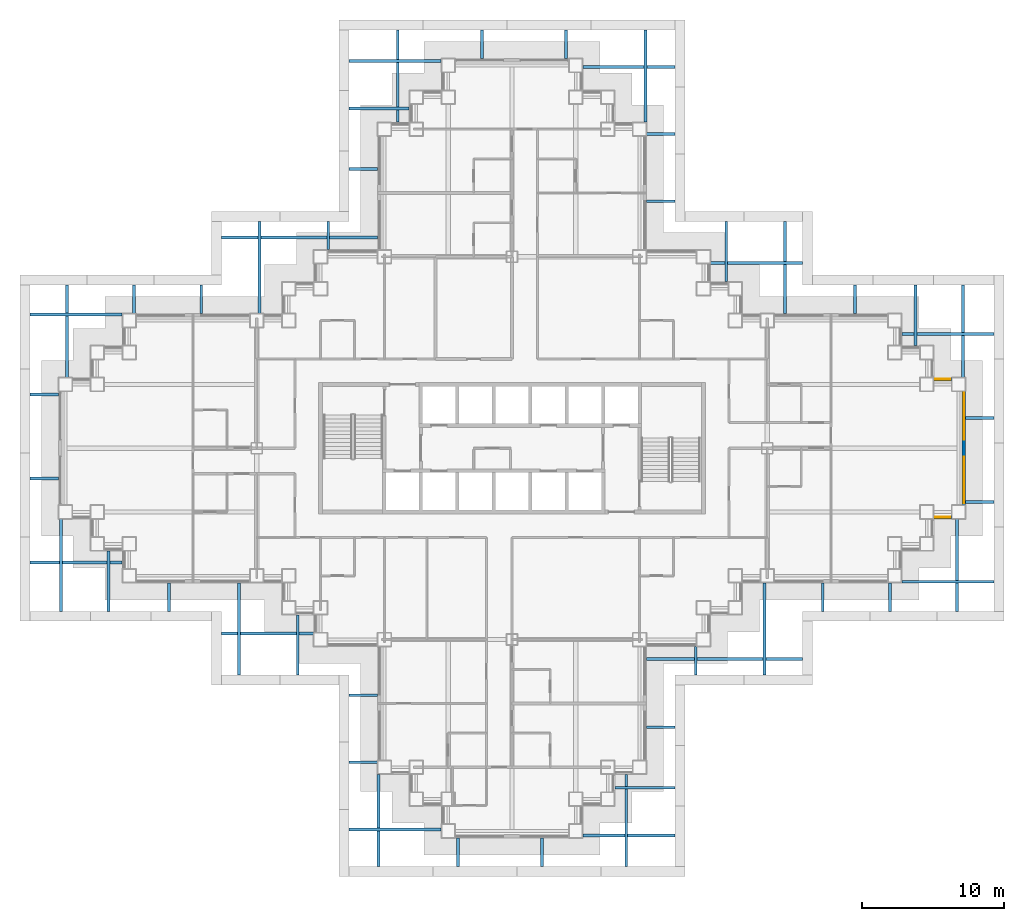
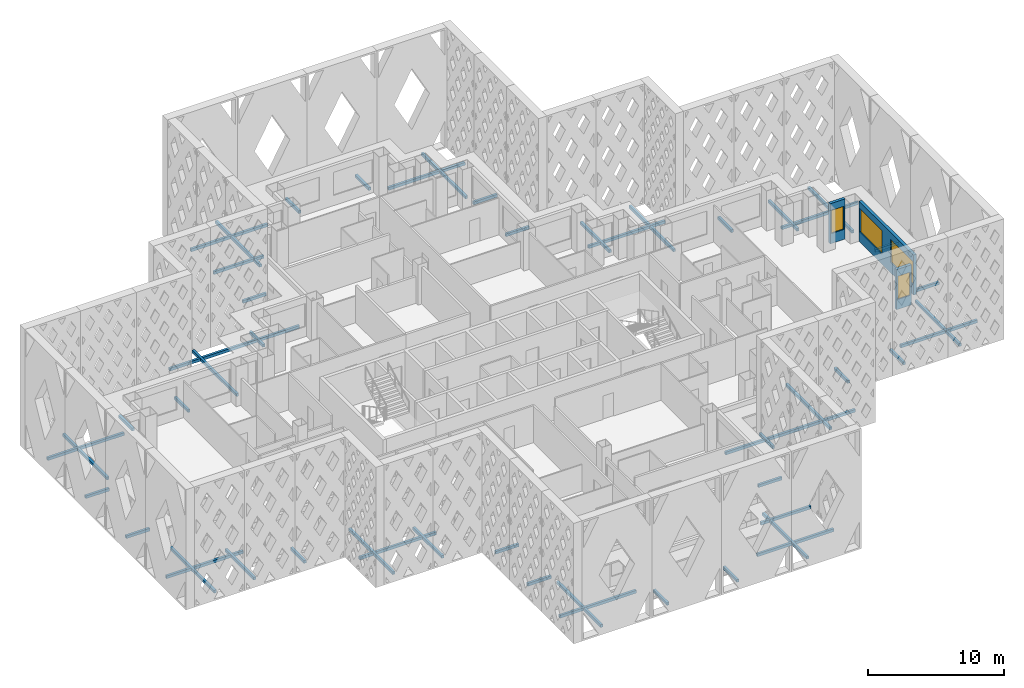
# One storey, part 10 of 19: 52 discrete accessories, 4 windows, 3 walls, 4 openings.
"""IFC4 building model written with IfcOpenShell, lengths in metres."""

from ifc_helpers import new_model, si_unit, direction, frame, frame_2d, origin, origin_2d, place, context, subcontext, project, spatial, rectangle, extrude, material, layer, layer_set, type_object, element, fill, save


model = new_model("IFC4")

# Units and contexts
model_context = context("Model", 3, precision=1e-05, world=origin(), true_north=direction((0.0, 1.0)))
body_context = subcontext(model_context, "Body", "Model", "MODEL_VIEW")
ifc_project = project(units=[si_unit("LENGTHUNIT", "METRE"), si_unit("AREAUNIT", "SQUARE_METRE"), si_unit("VOLUMEUNIT", "CUBIC_METRE"), si_unit("PLANEANGLEUNIT", "RADIAN"), si_unit("MASSUNIT", "GRAM", prefix="KILO")], contexts=[model_context])

# Site, building, storey
site_placement = place(None, origin())
site = spatial("IfcSite", under=ifc_project, at=site_placement, CompositionType="ELEMENT")
building_placement = place(site_placement, origin())
building = spatial("IfcBuilding", under=site, at=building_placement, Name="Caravel Reach Hotel and Residences", CompositionType="ELEMENT")
storey_placement = place(building_placement, frame((0.0, 0.0, 63.60009765625)))
storey = spatial("IfcBuildingStorey", under=building, at=storey_placement, Name="L14", CompositionType="ELEMENT", Elevation=63.60009765625)

# Wall, opening, window
ifc_material_1 = material(Name="Insulated rainscreen wall, aluminium cladding", Category="aluminium")
ifc_layer = layer(ifc_material_1, 0.25)
ifc_layer_set = layer_set([ifc_layer], Name="EW1 Tower rainscreen wall")
wall_type = type_object("IfcWallType", Name="EW1 Tower rainscreen wall", PredefinedType="SOLIDWALL", material=ifc_layer_set)
wall_1_placement = place(storey_placement, frame((61.25, 22.125, 0.0), z_axis=(0.0, 0.0, 1.0), x_axis=(1.0, 0.0, 0.0)))
wall_1 = element("IfcWall", 1, at=wall_1_placement, inside=storey, type_object=wall_type, Name="External wall L14 S19.1", PredefinedType="SOLIDWALL", context=body_context, shape_type="SweptSolid", body=[
    extrude(rectangle(XDim=1.25, YDim=0.25, at=frame_2d((0.625, 0.0))), origin(), (0.0, 0.0, 1.0), 3.599853515625),
])
opening_1_placement = place(wall_1_placement, frame((0.10009765625, 0.0, 0.89990234375)))
opening_1 = element("IfcOpeningElement", 2, at=opening_1_placement, cuts=wall_1, Name="Opening WN3", PredefinedType="OPENING", context=body_context, shape_type="SweptSolid", body=[
    extrude(rectangle(XDim=1.050048828125, YDim=2.080078125, at=frame_2d((0.52490234375, 1.0400390625))), frame((0.0, 0.135009765625, 0.0), z_axis=(0.0, -1.0, 0.0), x_axis=(1.0, 0.0, 0.0)), (0.0, 0.0, 1.0), 0.27001953125),
])
ifc_material_2 = material(Name="Dark low-e glazing in black aluminium frame", Category="aluminium")
window_type_1 = type_object("IfcWindowType", Name="Hotel suite corner window 1050 x 2080", PartitioningType="SINGLE_PANEL", PredefinedType="WINDOW", material=ifc_material_2)
window_1_placement = place(opening_1_placement, origin())
window_1 = element("IfcWindow", 3, at=window_1_placement, inside=storey, type_object=window_type_1, Name="Window L14 S19.1.1", OverallHeight=2.080078125, OverallWidth=1.050048828125, PartitioningType="SINGLE_PANEL", PredefinedType="WINDOW", context=body_context, shape_type="SweptSolid", body=[
    extrude(rectangle(XDim=1.050048828125, YDim=2.080078125, at=frame_2d((0.52490234375, 1.0400390625))), frame((0.0, 0.030029296875, 0.0), z_axis=(0.0, -1.0, 0.0), x_axis=(1.0, 0.0, 0.0)), (0.0, 0.0, 1.0), 0.06005859375),
])
fill(opening_1, window_1)

# Wall, openings, windows
wall_2_placement = place(storey_placement, frame((63.375, 23.0, 0.0), z_axis=(0.0, 0.0, 1.0), x_axis=(0.0, 1.0, 0.0)))
wall_2 = element("IfcWall", 4, at=wall_2_placement, inside=storey, type_object=wall_type, Name="External wall L14 E20.1", PredefinedType="SOLIDWALL", context=body_context, shape_type="SweptSolid", body=[
    extrude(rectangle(XDim=8.0, YDim=0.25, at=frame_2d((4.0, 0.0))), origin(), (0.0, 0.0, 1.0), 3.599853515625),
])
opening_2_placement = place(wall_2_placement, frame((0.10009765625, 0.0, 0.89990234375)))
opening_2 = element("IfcOpeningElement", 5, at=opening_2_placement, cuts=wall_2, Name="Opening WN4", PredefinedType="OPENING", context=body_context, shape_type="SweptSolid", body=[
    extrude(rectangle(XDim=3.300048828125, YDim=2.080078125, at=frame_2d((1.64990234375, 1.0400390625))), frame((0.0, 0.135009765625, 0.0), z_axis=(0.0, -1.0, 0.0), x_axis=(1.0, 0.0, 0.0)), (0.0, 0.0, 1.0), 0.27001953125),
])
opening_3_placement = place(wall_2_placement, frame((4.60009765625, 0.0, 0.89990234375)))
opening_3 = element("IfcOpeningElement", 6, at=opening_3_placement, cuts=wall_2, Name="Opening WN4", PredefinedType="OPENING", context=body_context, shape_type="SweptSolid", body=[
    extrude(rectangle(XDim=3.300048828125, YDim=2.080078125, at=frame_2d((1.64990234375, 1.0400390625))), frame((0.0, 0.135009765625, 0.0), z_axis=(0.0, -1.0, 0.0), x_axis=(1.0, 0.0, 0.0)), (0.0, 0.0, 1.0), 0.27001953125),
])
ifc_material_3 = material(Name="Dark low-e glazing in black aluminium frame", Category="aluminium")
window_type_2 = type_object("IfcWindowType", Name="Hotel guest room window 3300 x 2080", PartitioningType="SINGLE_PANEL", PredefinedType="WINDOW", material=ifc_material_3)
window_2_placement = place(opening_2_placement, origin())
window_2 = element("IfcWindow", 7, at=window_2_placement, inside=storey, type_object=window_type_2, Name="Window L14 E20.1.1", OverallHeight=2.080078125, OverallWidth=3.300048828125, PartitioningType="SINGLE_PANEL", PredefinedType="WINDOW", context=body_context, shape_type="SweptSolid", body=[
    extrude(rectangle(XDim=3.300048828125, YDim=2.080078125, at=frame_2d((1.64990234375, 1.0400390625))), frame((0.0, 0.030029296875, 0.0), z_axis=(0.0, -1.0, 0.0), x_axis=(1.0, 0.0, 0.0)), (0.0, 0.0, 1.0), 0.06005859375),
])
fill(opening_2, window_2)
window_3_placement = place(opening_3_placement, origin())
window_3 = element("IfcWindow", 8, at=window_3_placement, inside=storey, type_object=window_type_2, Name="Window L14 E20.1.2", OverallHeight=2.080078125, OverallWidth=3.300048828125, PartitioningType="SINGLE_PANEL", PredefinedType="WINDOW", context=body_context, shape_type="SweptSolid", body=[
    extrude(rectangle(XDim=3.300048828125, YDim=2.080078125, at=frame_2d((1.64990234375, 1.0400390625))), frame((0.0, 0.030029296875, 0.0), z_axis=(0.0, -1.0, 0.0), x_axis=(1.0, 0.0, 0.0)), (0.0, 0.0, 1.0), 0.06005859375),
])
fill(opening_3, window_3)

# Wall, opening, window
wall_3_placement = place(storey_placement, frame((62.5, 31.875, 0.0), z_axis=(0.0, 0.0, 1.0), x_axis=(-1.0, 0.0, 0.0)))
wall_3 = element("IfcWall", 9, at=wall_3_placement, inside=storey, type_object=wall_type, Name="External wall L14 N21.1", PredefinedType="SOLIDWALL", context=body_context, shape_type="SweptSolid", body=[
    extrude(rectangle(XDim=1.25, YDim=0.25, at=frame_2d((0.625, 0.0))), origin(), (0.0, 0.0, 1.0), 3.599853515625),
])
opening_4_placement = place(wall_3_placement, frame((0.10009765625, 0.0, 0.89990234375)))
opening_4 = element("IfcOpeningElement", 10, at=opening_4_placement, cuts=wall_3, Name="Opening WN3", PredefinedType="OPENING", context=body_context, shape_type="SweptSolid", body=[
    extrude(rectangle(XDim=1.050048828125, YDim=2.080078125, at=frame_2d((0.52490234375, 1.0400390625))), frame((0.0, 0.135009765625, 0.0), z_axis=(0.0, -1.0, 0.0), x_axis=(1.0, 0.0, 0.0)), (0.0, 0.0, 1.0), 0.27001953125),
])
window_4_placement = place(opening_4_placement, origin())
window_4 = element("IfcWindow", 11, at=window_4_placement, inside=storey, type_object=window_type_1, Name="Window L14 N21.1.1", OverallHeight=2.080078125, OverallWidth=1.050048828125, PartitioningType="SINGLE_PANEL", PredefinedType="WINDOW", context=body_context, shape_type="SweptSolid", body=[
    extrude(rectangle(XDim=1.050048828125, YDim=2.080078125, at=frame_2d((0.52490234375, 1.0400390625))), frame((0.0, 0.030029296875, 0.0), z_axis=(0.0, -1.0, 0.0), x_axis=(1.0, 0.0, 0.0)), (0.0, 0.0, 1.0), 0.06005859375),
])
fill(opening_4, window_4)

# Discrete accessories
ifc_material_4 = material(Name="Black powder-coated aluminium", Category="aluminium")
discrete_accessory_type = type_object("IfcDiscreteAccessoryType", Name="BR1 Screen bracket", PredefinedType="BRACKET", material=ifc_material_4)
for number, where, z_axis, x_axis, name in (
    (12, (21.0, 9.580078125, 0.099853515625), (0.0, 0.0, 1.0), (-1.0, 0.0, 0.0), "Screen bracket L14 1.1.1"),
    (13, (21.0, 4.8466796875, 0.099853515625), (0.0, 0.0, 1.0), (-1.0, 0.0, 0.0), "Screen bracket L14 1.2.1"),
):
    element("IfcDiscreteAccessory", number, at=place(storey_placement, frame(where, z_axis=z_axis, x_axis=x_axis)), inside=storey, type_object=discrete_accessory_type, Name=name, PredefinedType="BRACKET", context=body_context, shape_type="SweptSolid", body=[
        extrude(rectangle(XDim=2.0, YDim=0.199951171875, at=origin_2d()), origin(), (0.0, 0.0, 1.0), 0.25),
    ])
for number, where, z_axis, x_axis, name in (
    (14, (23.25, 0.11328125, 0.099853515625), (0.0, 0.0, 1.0), (-1.0, 0.0, 0.0), "Screen bracket L14 1.3.1"),
    (15, (22.077392578125, 0.75, 0.099853515625), (0.0, 0.0, 1.0), (0.0, -1.0, 0.0), "Screen bracket L14 2.1.1"),
):
    element("IfcDiscreteAccessory", number, at=place(storey_placement, frame(where, z_axis=z_axis, x_axis=x_axis)), inside=storey, type_object=discrete_accessory_type, Name=name, PredefinedType="BRACKET", context=body_context, shape_type="SweptSolid", body=[
        extrude(rectangle(XDim=6.5, YDim=0.199951171875, at=origin_2d()), origin(), (0.0, 0.0, 1.0), 0.25),
    ])
for number, where, z_axis, x_axis, name in (
    (16, (27.702392578125, -1.5, 0.099853515625), (0.0, 0.0, 1.0), (0.0, -1.0, 0.0), "Screen bracket L14 2.2.1"),
    (17, (33.62744140625, -1.5, 0.099853515625), (0.0, 0.0, 1.0), (0.0, -1.0, 0.0), "Screen bracket L14 2.3.1"),
):
    element("IfcDiscreteAccessory", number, at=place(storey_placement, frame(where, z_axis=z_axis, x_axis=x_axis)), inside=storey, type_object=discrete_accessory_type, Name=name, PredefinedType="BRACKET", context=body_context, shape_type="SweptSolid", body=[
        extrude(rectangle(XDim=2.0, YDim=0.199951171875, at=origin_2d()), origin(), (0.0, 0.0, 1.0), 0.25),
    ])
for number, where, z_axis, x_axis, name in (
    (18, (39.552490234375, 0.75, 0.099853515625), (0.0, 0.0, 1.0), (0.0, -1.0, 0.0), "Screen bracket L14 2.4.1"),
    (19, (39.75, -0.320068359375, 0.099853515625), (0.0, 0.0, 1.0), (1.0, 0.0, 0.0), "Screen bracket L14 3.1.1"),
):
    element("IfcDiscreteAccessory", number, at=place(storey_placement, frame(where, z_axis=z_axis, x_axis=x_axis)), inside=storey, type_object=discrete_accessory_type, Name=name, PredefinedType="BRACKET", context=body_context, shape_type="SweptSolid", body=[
        extrude(rectangle(XDim=6.5, YDim=0.199951171875, at=origin_2d()), origin(), (0.0, 0.0, 1.0), 0.25),
    ])
discrete_accessory_1_placement = place(storey_placement, frame((40.875, 3.046630859375, 0.099853515625), z_axis=(0.0, 0.0, 1.0), x_axis=(1.0, 0.0, 0.0)))
element("IfcDiscreteAccessory", 20, at=discrete_accessory_1_placement, inside=storey, type_object=discrete_accessory_type, Name="Screen bracket L14 3.2.1", PredefinedType="BRACKET", context=body_context, shape_type="SweptSolid", body=[
    extrude(rectangle(XDim=4.25, YDim=0.199951171875, at=origin_2d()), origin(), (0.0, 0.0, 1.0), 0.25),
])
for number, where, z_axis, x_axis, name in (
    (21, (42.0, 7.313232421875, 0.099853515625), (0.0, 0.0, 1.0), (1.0, 0.0, 0.0), "Screen bracket L14 3.3.1"),
    (22, (44.455078125, 12.0, 0.099853515625), (0.0, 0.0, 1.0), (0.0, -1.0, 0.0), "Screen bracket L14 4.1.1"),
):
    element("IfcDiscreteAccessory", number, at=place(storey_placement, frame(where, z_axis=z_axis, x_axis=x_axis)), inside=storey, type_object=discrete_accessory_type, Name=name, PredefinedType="BRACKET", context=body_context, shape_type="SweptSolid", body=[
        extrude(rectangle(XDim=2.0, YDim=0.199951171875, at=origin_2d()), origin(), (0.0, 0.0, 1.0), 0.25),
    ])
discrete_accessory_2_placement = place(storey_placement, frame((49.304931640625, 14.25, 0.099853515625), z_axis=(0.0, 0.0, 1.0), x_axis=(0.0, -1.0, 0.0)))
element("IfcDiscreteAccessory", 23, at=discrete_accessory_2_placement, inside=storey, type_object=discrete_accessory_type, Name="Screen bracket L14 4.2.1", PredefinedType="BRACKET", context=body_context, shape_type="SweptSolid", body=[
    extrude(rectangle(XDim=6.5, YDim=0.199951171875, at=origin_2d()), origin(), (0.0, 0.0, 1.0), 0.25),
])
discrete_accessory_3_placement = place(storey_placement, frame((46.5, 12.139892578125, 0.099853515625), z_axis=(0.0, 0.0, 1.0), x_axis=(1.0, 0.0, 0.0)))
element("IfcDiscreteAccessory", 24, at=discrete_accessory_3_placement, inside=storey, type_object=discrete_accessory_type, Name="Screen bracket L14 5.1.1", PredefinedType="BRACKET", context=body_context, shape_type="SweptSolid", body=[
    extrude(rectangle(XDim=11.0, YDim=0.199951171875, at=origin_2d()), origin(), (0.0, 0.0, 1.0), 0.25),
])
for number, where, z_axis, x_axis, name in (
    (25, (53.419921875, 16.5, 0.099853515625), (0.0, 0.0, 1.0), (0.0, -1.0, 0.0), "Screen bracket L14 6.1.1"),
    (26, (58.1533203125, 16.5, 0.099853515625), (0.0, 0.0, 1.0), (0.0, -1.0, 0.0), "Screen bracket L14 6.2.1"),
):
    element("IfcDiscreteAccessory", number, at=place(storey_placement, frame(where, z_axis=z_axis, x_axis=x_axis)), inside=storey, type_object=discrete_accessory_type, Name=name, PredefinedType="BRACKET", context=body_context, shape_type="SweptSolid", body=[
        extrude(rectangle(XDim=2.0, YDim=0.199951171875, at=origin_2d()), origin(), (0.0, 0.0, 1.0), 0.25),
    ])
for number, where, z_axis, x_axis, name in (
    (27, (62.88671875, 18.75, 0.099853515625), (0.0, 0.0, 1.0), (0.0, -1.0, 0.0), "Screen bracket L14 6.3.1"),
    (28, (62.25, 17.577392578125, 0.099853515625), (0.0, 0.0, 1.0), (1.0, 0.0, 0.0), "Screen bracket L14 7.1.1"),
):
    element("IfcDiscreteAccessory", number, at=place(storey_placement, frame(where, z_axis=z_axis, x_axis=x_axis)), inside=storey, type_object=discrete_accessory_type, Name=name, PredefinedType="BRACKET", context=body_context, shape_type="SweptSolid", body=[
        extrude(rectangle(XDim=6.5, YDim=0.199951171875, at=origin_2d()), origin(), (0.0, 0.0, 1.0), 0.25),
    ])
for number, where, z_axis, x_axis, name in (
    (29, (64.5, 23.202392578125, 0.099853515625), (0.0, 0.0, 1.0), (1.0, 0.0, 0.0), "Screen bracket L14 7.2.1"),
    (30, (64.5, 29.12744140625, 0.099853515625), (0.0, 0.0, 1.0), (1.0, 0.0, 0.0), "Screen bracket L14 7.3.1"),
):
    element("IfcDiscreteAccessory", number, at=place(storey_placement, frame(where, z_axis=z_axis, x_axis=x_axis)), inside=storey, type_object=discrete_accessory_type, Name=name, PredefinedType="BRACKET", context=body_context, shape_type="SweptSolid", body=[
        extrude(rectangle(XDim=2.0, YDim=0.199951171875, at=origin_2d()), origin(), (0.0, 0.0, 1.0), 0.25),
    ])
for number, where, z_axis, x_axis, name in (
    (31, (62.25, 35.052490234375, 0.099853515625), (0.0, 0.0, 1.0), (1.0, 0.0, 0.0), "Screen bracket L14 7.4.1"),
    (32, (63.320068359375, 35.25, 0.099853515625), (0.0, 0.0, 1.0), (0.0, 1.0, 0.0), "Screen bracket L14 8.1.1"),
):
    element("IfcDiscreteAccessory", number, at=place(storey_placement, frame(where, z_axis=z_axis, x_axis=x_axis)), inside=storey, type_object=discrete_accessory_type, Name=name, PredefinedType="BRACKET", context=body_context, shape_type="SweptSolid", body=[
        extrude(rectangle(XDim=6.5, YDim=0.199951171875, at=origin_2d()), origin(), (0.0, 0.0, 1.0), 0.25),
    ])
discrete_accessory_4_placement = place(storey_placement, frame((59.953369140625, 36.375, 0.099853515625), z_axis=(0.0, 0.0, 1.0), x_axis=(0.0, 1.0, 0.0)))
element("IfcDiscreteAccessory", 33, at=discrete_accessory_4_placement, inside=storey, type_object=discrete_accessory_type, Name="Screen bracket L14 8.2.1", PredefinedType="BRACKET", context=body_context, shape_type="SweptSolid", body=[
    extrude(rectangle(XDim=4.25, YDim=0.199951171875, at=origin_2d()), origin(), (0.0, 0.0, 1.0), 0.25),
])
discrete_accessory_5_placement = place(storey_placement, frame((55.686767578125, 37.5, 0.099853515625), z_axis=(0.0, 0.0, 1.0), x_axis=(0.0, 1.0, 0.0)))
element("IfcDiscreteAccessory", 34, at=discrete_accessory_5_placement, inside=storey, type_object=discrete_accessory_type, Name="Screen bracket L14 8.3.1", PredefinedType="BRACKET", context=body_context, shape_type="SweptSolid", body=[
    extrude(rectangle(XDim=2.0, YDim=0.199951171875, at=origin_2d()), origin(), (0.0, 0.0, 1.0), 0.25),
])
for number, where, z_axis, x_axis, name in (
    (35, (48.75, 40.06005859375, 0.099853515625), (0.0, 0.0, 1.0), (1.0, 0.0, 0.0), "Screen bracket L14 9.1.1"),
    (36, (50.7548828125, 39.75, 0.099853515625), (0.0, 0.0, 1.0), (0.0, 1.0, 0.0), "Screen bracket L14 10.1.1"),
):
    element("IfcDiscreteAccessory", number, at=place(storey_placement, frame(where, z_axis=z_axis, x_axis=x_axis)), inside=storey, type_object=discrete_accessory_type, Name=name, PredefinedType="BRACKET", context=body_context, shape_type="SweptSolid", body=[
        extrude(rectangle(XDim=6.5, YDim=0.199951171875, at=origin_2d()), origin(), (0.0, 0.0, 1.0), 0.25),
    ])
discrete_accessory_6_placement = place(storey_placement, frame((46.60498046875, 40.875, 0.099853515625), z_axis=(0.0, 0.0, 1.0), x_axis=(0.0, 1.0, 0.0)))
element("IfcDiscreteAccessory", 37, at=discrete_accessory_6_placement, inside=storey, type_object=discrete_accessory_type, Name="Screen bracket L14 10.2.1", PredefinedType="BRACKET", context=body_context, shape_type="SweptSolid", body=[
    extrude(rectangle(XDim=4.25, YDim=0.199951171875, at=origin_2d()), origin(), (0.0, 0.0, 1.0), 0.25),
])
for number, where, z_axis, x_axis, name in (
    (38, (42.0, 44.419921875, 0.099853515625), (0.0, 0.0, 1.0), (1.0, 0.0, 0.0), "Screen bracket L14 11.1.1"),
    (39, (42.0, 49.1533203125, 0.099853515625), (0.0, 0.0, 1.0), (1.0, 0.0, 0.0), "Screen bracket L14 11.2.1"),
):
    element("IfcDiscreteAccessory", number, at=place(storey_placement, frame(where, z_axis=z_axis, x_axis=x_axis)), inside=storey, type_object=discrete_accessory_type, Name=name, PredefinedType="BRACKET", context=body_context, shape_type="SweptSolid", body=[
        extrude(rectangle(XDim=2.0, YDim=0.199951171875, at=origin_2d()), origin(), (0.0, 0.0, 1.0), 0.25),
    ])
for number, where, z_axis, x_axis, name in (
    (40, (39.75, 53.88671875, 0.099853515625), (0.0, 0.0, 1.0), (1.0, 0.0, 0.0), "Screen bracket L14 11.3.1"),
    (41, (40.922607421875, 53.25, 0.099853515625), (0.0, 0.0, 1.0), (0.0, 1.0, 0.0), "Screen bracket L14 12.1.1"),
):
    element("IfcDiscreteAccessory", number, at=place(storey_placement, frame(where, z_axis=z_axis, x_axis=x_axis)), inside=storey, type_object=discrete_accessory_type, Name=name, PredefinedType="BRACKET", context=body_context, shape_type="SweptSolid", body=[
        extrude(rectangle(XDim=6.5, YDim=0.199951171875, at=origin_2d()), origin(), (0.0, 0.0, 1.0), 0.25),
    ])
for number, where, z_axis, x_axis, name in (
    (42, (35.297607421875, 55.5, 0.099853515625), (0.0, 0.0, 1.0), (0.0, 1.0, 0.0), "Screen bracket L14 12.2.1"),
    (43, (29.37255859375, 55.5, 0.099853515625), (0.0, 0.0, 1.0), (0.0, 1.0, 0.0), "Screen bracket L14 12.3.1"),
):
    element("IfcDiscreteAccessory", number, at=place(storey_placement, frame(where, z_axis=z_axis, x_axis=x_axis)), inside=storey, type_object=discrete_accessory_type, Name=name, PredefinedType="BRACKET", context=body_context, shape_type="SweptSolid", body=[
        extrude(rectangle(XDim=2.0, YDim=0.199951171875, at=origin_2d()), origin(), (0.0, 0.0, 1.0), 0.25),
    ])
for number, where, z_axis, x_axis, name in (
    (44, (23.447509765625, 53.25, 0.099853515625), (0.0, 0.0, 1.0), (0.0, 1.0, 0.0), "Screen bracket L14 12.4.1"),
    (45, (23.25, 54.320068359375, 0.099853515625), (0.0, 0.0, 1.0), (-1.0, 0.0, 0.0), "Screen bracket L14 13.1.1"),
):
    element("IfcDiscreteAccessory", number, at=place(storey_placement, frame(where, z_axis=z_axis, x_axis=x_axis)), inside=storey, type_object=discrete_accessory_type, Name=name, PredefinedType="BRACKET", context=body_context, shape_type="SweptSolid", body=[
        extrude(rectangle(XDim=6.5, YDim=0.199951171875, at=origin_2d()), origin(), (0.0, 0.0, 1.0), 0.25),
    ])
discrete_accessory_7_placement = place(storey_placement, frame((22.125, 50.953369140625, 0.099853515625), z_axis=(0.0, 0.0, 1.0), x_axis=(-1.0, 0.0, 0.0)))
element("IfcDiscreteAccessory", 46, at=discrete_accessory_7_placement, inside=storey, type_object=discrete_accessory_type, Name="Screen bracket L14 13.2.1", PredefinedType="BRACKET", context=body_context, shape_type="SweptSolid", body=[
    extrude(rectangle(XDim=4.25, YDim=0.199951171875, at=origin_2d()), origin(), (0.0, 0.0, 1.0), 0.25),
])
for number, where, z_axis, x_axis, name in (
    (47, (21.0, 46.686767578125, 0.099853515625), (0.0, 0.0, 1.0), (-1.0, 0.0, 0.0), "Screen bracket L14 13.3.1"),
    (48, (18.544921875, 42.0, 0.099853515625), (0.0, 0.0, 1.0), (0.0, 1.0, 0.0), "Screen bracket L14 14.1.1"),
):
    element("IfcDiscreteAccessory", number, at=place(storey_placement, frame(where, z_axis=z_axis, x_axis=x_axis)), inside=storey, type_object=discrete_accessory_type, Name=name, PredefinedType="BRACKET", context=body_context, shape_type="SweptSolid", body=[
        extrude(rectangle(XDim=2.0, YDim=0.199951171875, at=origin_2d()), origin(), (0.0, 0.0, 1.0), 0.25),
    ])
discrete_accessory_8_placement = place(storey_placement, frame((13.695068359375, 39.75, 0.099853515625), z_axis=(0.0, 0.0, 1.0), x_axis=(0.0, 1.0, 0.0)))
element("IfcDiscreteAccessory", 49, at=discrete_accessory_8_placement, inside=storey, type_object=discrete_accessory_type, Name="Screen bracket L14 14.2.1", PredefinedType="BRACKET", context=body_context, shape_type="SweptSolid", body=[
    extrude(rectangle(XDim=6.5, YDim=0.199951171875, at=origin_2d()), origin(), (0.0, 0.0, 1.0), 0.25),
])
discrete_accessory_9_placement = place(storey_placement, frame((16.5, 41.860107421875, 0.099853515625), z_axis=(0.0, 0.0, 1.0), x_axis=(-1.0, 0.0, 0.0)))
element("IfcDiscreteAccessory", 50, at=discrete_accessory_9_placement, inside=storey, type_object=discrete_accessory_type, Name="Screen bracket L14 15.1.1", PredefinedType="BRACKET", context=body_context, shape_type="SweptSolid", body=[
    extrude(rectangle(XDim=11.0, YDim=0.199951171875, at=origin_2d()), origin(), (0.0, 0.0, 1.0), 0.25),
])
for number, where, z_axis, x_axis, name in (
    (51, (9.580078125, 37.5, 0.099853515625), (0.0, 0.0, 1.0), (0.0, 1.0, 0.0), "Screen bracket L14 16.1.1"),
    (52, (4.8466796875, 37.5, 0.099853515625), (0.0, 0.0, 1.0), (0.0, 1.0, 0.0), "Screen bracket L14 16.2.1"),
):
    element("IfcDiscreteAccessory", number, at=place(storey_placement, frame(where, z_axis=z_axis, x_axis=x_axis)), inside=storey, type_object=discrete_accessory_type, Name=name, PredefinedType="BRACKET", context=body_context, shape_type="SweptSolid", body=[
        extrude(rectangle(XDim=2.0, YDim=0.199951171875, at=origin_2d()), origin(), (0.0, 0.0, 1.0), 0.25),
    ])
for number, where, z_axis, x_axis, name in (
    (53, (0.11328125, 35.25, 0.099853515625), (0.0, 0.0, 1.0), (0.0, 1.0, 0.0), "Screen bracket L14 16.3.1"),
    (54, (0.75, 36.422607421875, 0.099853515625), (0.0, 0.0, 1.0), (-1.0, 0.0, 0.0), "Screen bracket L14 17.1.1"),
):
    element("IfcDiscreteAccessory", number, at=place(storey_placement, frame(where, z_axis=z_axis, x_axis=x_axis)), inside=storey, type_object=discrete_accessory_type, Name=name, PredefinedType="BRACKET", context=body_context, shape_type="SweptSolid", body=[
        extrude(rectangle(XDim=6.5, YDim=0.199951171875, at=origin_2d()), origin(), (0.0, 0.0, 1.0), 0.25),
    ])
for number, where, z_axis, x_axis, name in (
    (55, (-1.5, 30.797607421875, 0.099853515625), (0.0, 0.0, 1.0), (-1.0, 0.0, 0.0), "Screen bracket L14 17.2.1"),
    (56, (-1.5, 24.87255859375, 0.099853515625), (0.0, 0.0, 1.0), (-1.0, 0.0, 0.0), "Screen bracket L14 17.3.1"),
):
    element("IfcDiscreteAccessory", number, at=place(storey_placement, frame(where, z_axis=z_axis, x_axis=x_axis)), inside=storey, type_object=discrete_accessory_type, Name=name, PredefinedType="BRACKET", context=body_context, shape_type="SweptSolid", body=[
        extrude(rectangle(XDim=2.0, YDim=0.199951171875, at=origin_2d()), origin(), (0.0, 0.0, 1.0), 0.25),
    ])
for number, where, z_axis, x_axis, name in (
    (57, (0.75, 18.947509765625, 0.099853515625), (0.0, 0.0, 1.0), (-1.0, 0.0, 0.0), "Screen bracket L14 17.4.1"),
    (58, (-0.320068359375, 18.75, 0.099853515625), (0.0, 0.0, 1.0), (0.0, -1.0, 0.0), "Screen bracket L14 18.1.1"),
):
    element("IfcDiscreteAccessory", number, at=place(storey_placement, frame(where, z_axis=z_axis, x_axis=x_axis)), inside=storey, type_object=discrete_accessory_type, Name=name, PredefinedType="BRACKET", context=body_context, shape_type="SweptSolid", body=[
        extrude(rectangle(XDim=6.5, YDim=0.199951171875, at=origin_2d()), origin(), (0.0, 0.0, 1.0), 0.25),
    ])
discrete_accessory_10_placement = place(storey_placement, frame((3.046630859375, 17.625, 0.099853515625), z_axis=(0.0, 0.0, 1.0), x_axis=(0.0, -1.0, 0.0)))
element("IfcDiscreteAccessory", 59, at=discrete_accessory_10_placement, inside=storey, type_object=discrete_accessory_type, Name="Screen bracket L14 18.2.1", PredefinedType="BRACKET", context=body_context, shape_type="SweptSolid", body=[
    extrude(rectangle(XDim=4.25, YDim=0.199951171875, at=origin_2d()), origin(), (0.0, 0.0, 1.0), 0.25),
])
discrete_accessory_11_placement = place(storey_placement, frame((7.313232421875, 16.5, 0.099853515625), z_axis=(0.0, 0.0, 1.0), x_axis=(0.0, -1.0, 0.0)))
element("IfcDiscreteAccessory", 60, at=discrete_accessory_11_placement, inside=storey, type_object=discrete_accessory_type, Name="Screen bracket L14 18.3.1", PredefinedType="BRACKET", context=body_context, shape_type="SweptSolid", body=[
    extrude(rectangle(XDim=2.0, YDim=0.199951171875, at=origin_2d()), origin(), (0.0, 0.0, 1.0), 0.25),
])
for number, where, z_axis, x_axis, name in (
    (61, (14.25, 13.93994140625, 0.099853515625), (0.0, 0.0, 1.0), (-1.0, 0.0, 0.0), "Screen bracket L14 19.1.1"),
    (62, (12.2451171875, 14.25, 0.099853515625), (0.0, 0.0, 1.0), (0.0, -1.0, 0.0), "Screen bracket L14 20.1.1"),
):
    element("IfcDiscreteAccessory", number, at=place(storey_placement, frame(where, z_axis=z_axis, x_axis=x_axis)), inside=storey, type_object=discrete_accessory_type, Name=name, PredefinedType="BRACKET", context=body_context, shape_type="SweptSolid", body=[
        extrude(rectangle(XDim=6.5, YDim=0.199951171875, at=origin_2d()), origin(), (0.0, 0.0, 1.0), 0.25),
    ])
discrete_accessory_12_placement = place(storey_placement, frame((16.39501953125, 13.125, 0.099853515625), z_axis=(0.0, 0.0, 1.0), x_axis=(0.0, -1.0, 0.0)))
element("IfcDiscreteAccessory", 63, at=discrete_accessory_12_placement, inside=storey, type_object=discrete_accessory_type, Name="Screen bracket L14 20.2.1", PredefinedType="BRACKET", context=body_context, shape_type="SweptSolid", body=[
    extrude(rectangle(XDim=4.25, YDim=0.199951171875, at=origin_2d()), origin(), (0.0, 0.0, 1.0), 0.25),
])

save(model, "model.ifc")
